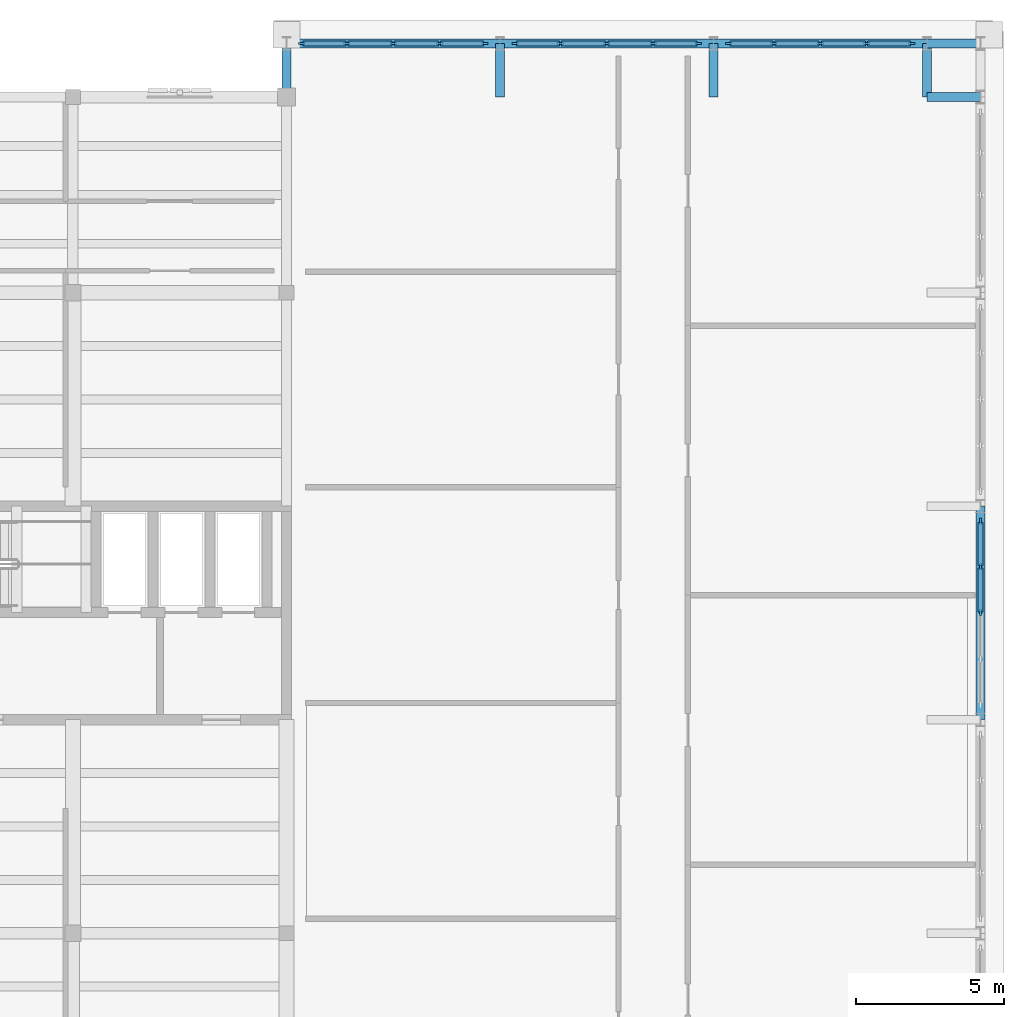
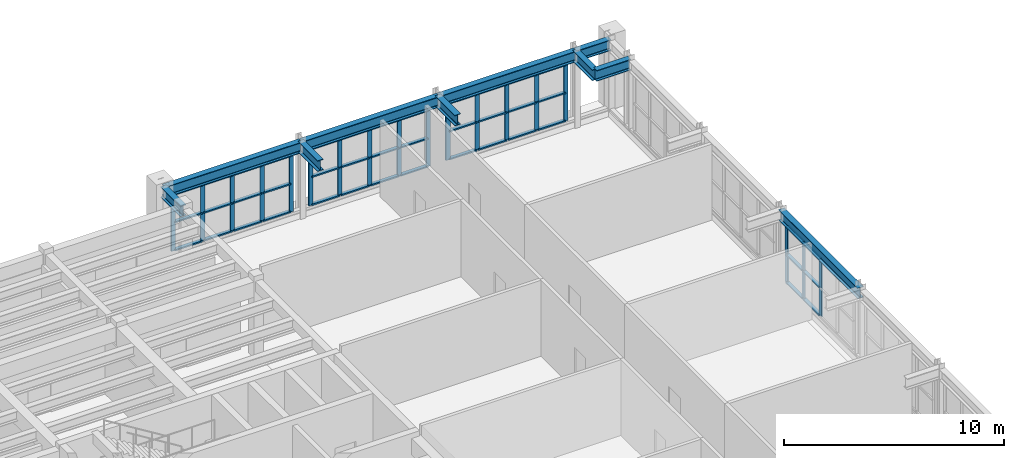
# One storey, part 6 of 18: 60 members, 10 beams, 4 elements without a shape of their own.
"""IFC4 building model written with IfcOpenShell, lengths in metres."""

from ifc_helpers import new_model, si_unit, direction, frame, origin, origin_2d, place, context, subcontext, project, spatial, rectangle, i_section, extrude, material, material_profile, profile_set, type_object, element, aggregate, save


model = new_model("IFC4")

# Units and contexts
model_context = context("Model", 3, precision=1e-05, world=origin(), true_north=direction((0.0, 1.0)))
body_context = subcontext(model_context, "Body", "Model", "MODEL_VIEW")
ifc_project = project(units=[si_unit("LENGTHUNIT", "METRE"), si_unit("AREAUNIT", "SQUARE_METRE"), si_unit("VOLUMEUNIT", "CUBIC_METRE"), si_unit("PLANEANGLEUNIT", "RADIAN"), si_unit("MASSUNIT", "GRAM", prefix="KILO")], contexts=[model_context])

# Site, building, storey
site_placement = place(None, origin())
site = spatial("IfcSite", under=ifc_project, at=site_placement, CompositionType="ELEMENT")
building_placement = place(site_placement, origin())
building = spatial("IfcBuilding", under=site, at=building_placement, Name="Mithqara Police Headquarters", CompositionType="ELEMENT")
storey_placement = place(building_placement, frame((0.0, 0.0, 26.39990234375)))
storey = spatial("IfcBuildingStorey", under=building, at=storey_placement, Name="L06", CompositionType="ELEMENT", Elevation=26.39990234375)

# Curtain wall, members
ifc_material_1 = material(Name="Bronze anodised aluminium 6063-T6", Category="aluminium")
curtain_wall_type = type_object("IfcCurtainWallType", Name="CURTAIN WALL 6250X3170", PredefinedType="USERDEFINED", material=ifc_material_1)
curtain_wall_1_placement = place(storey_placement, origin())
curtain_wall_1 = element("IfcCurtainWall", 1, at=curtain_wall_1_placement, inside=storey, type_object=curtain_wall_type, Name="L06 Unitised Glazing CW-04 (CW-CUBE-L06-P0-E02-S0-02)", ObjectType="UNITISED GLAZING", PredefinedType="USERDEFINED")
ifc_material_profile_1 = material_profile(ifc_material_1, rectangle(XDim=0.074951171875, YDim=0.219970703125, at=origin_2d()), Name="CWM 75x220")
ifc_profile_set_1 = profile_set([ifc_material_profile_1], Name="Bronze anodised aluminium 6063-T6")
member_type_1 = type_object("IfcMemberType", Name="CWMULLION 75X220", PredefinedType="MULLION", material=ifc_profile_set_1)
member_1_placement = place(storey_placement, frame((168.0, 96.60009765625, 0.4501953125), z_axis=(0.0, 0.0, 1.0), x_axis=(-1.0, 0.0, 0.0)))
member_1 = element("IfcMember", 2, at=member_1_placement, type_object=member_type_1, Name="CW-04 mullion 3", PredefinedType="MULLION", context=body_context, shape_type="SweptSolid", body=[
    extrude(rectangle(XDim=0.074951171875, YDim=0.219970703125, at=origin_2d()), origin(), (0.0, 0.0, 1.0), 3.169921875),
])
member_2_placement = place(storey_placement, frame((168.0, 98.16259765625, 0.4501953125), z_axis=(0.0, 0.0, 1.0), x_axis=(-1.0, 0.0, 0.0)))
member_2 = element("IfcMember", 3, at=member_2_placement, type_object=member_type_1, Name="CW-04 mullion 4", PredefinedType="MULLION", context=body_context, shape_type="SweptSolid", body=[
    extrude(rectangle(XDim=0.074951171875, YDim=0.219970703125, at=origin_2d()), origin(), (0.0, 0.0, 1.0), 3.169921875),
])
member_3_placement = place(storey_placement, frame((168.0, 99.6875, 0.4501953125), z_axis=(0.0, 0.0, 1.0), x_axis=(-1.0, 0.0, 0.0)))
member_3 = element("IfcMember", 4, at=member_3_placement, type_object=member_type_1, Name="CW-04 mullion 5", PredefinedType="MULLION", context=body_context, shape_type="SweptSolid", body=[
    extrude(rectangle(XDim=0.074951171875, YDim=0.219970703125, at=origin_2d()), origin(), (0.0, 0.0, 1.0), 3.169921875),
])

curtain_wall_2_placement = place(storey_placement, origin())
curtain_wall_2 = element("IfcCurtainWall", 5, at=curtain_wall_2_placement, inside=storey, type_object=curtain_wall_type, Name="L06 Unitised Glazing CW-04 (CW-CUBE-L06-P0-E03-S0-00)", ObjectType="UNITISED GLAZING", PredefinedType="USERDEFINED")
member_4_placement = place(storey_placement, frame((165.6875, 115.800048828125, 0.4501953125), z_axis=(0.0, 0.0, 1.0), x_axis=(0.0, -1.0, 0.0)))
member_4 = element("IfcMember", 6, at=member_4_placement, type_object=member_type_1, Name="CW-04 mullion 1", PredefinedType="MULLION", context=body_context, shape_type="SweptSolid", body=[
    extrude(rectangle(XDim=0.074951171875, YDim=0.219970703125, at=origin_2d()), origin(), (0.0, 0.0, 1.0), 3.169921875),
])
member_5_placement = place(storey_placement, frame((164.16259765625, 115.800048828125, 0.4501953125), z_axis=(0.0, 0.0, 1.0), x_axis=(0.0, -1.0, 0.0)))
member_5 = element("IfcMember", 7, at=member_5_placement, type_object=member_type_1, Name="CW-04 mullion 2", PredefinedType="MULLION", context=body_context, shape_type="SweptSolid", body=[
    extrude(rectangle(XDim=0.074951171875, YDim=0.219970703125, at=origin_2d()), origin(), (0.0, 0.0, 1.0), 3.169921875),
])
member_6_placement = place(storey_placement, frame((162.60009765625, 115.800048828125, 0.4501953125), z_axis=(0.0, 0.0, 1.0), x_axis=(0.0, -1.0, 0.0)))
member_6 = element("IfcMember", 8, at=member_6_placement, type_object=member_type_1, Name="CW-04 mullion 3", PredefinedType="MULLION", context=body_context, shape_type="SweptSolid", body=[
    extrude(rectangle(XDim=0.074951171875, YDim=0.219970703125, at=origin_2d()), origin(), (0.0, 0.0, 1.0), 3.169921875),
])
member_7_placement = place(storey_placement, frame((161.03759765625, 115.800048828125, 0.4501953125), z_axis=(0.0, 0.0, 1.0), x_axis=(0.0, -1.0, 0.0)))
member_7 = element("IfcMember", 9, at=member_7_placement, type_object=member_type_1, Name="CW-04 mullion 4", PredefinedType="MULLION", context=body_context, shape_type="SweptSolid", body=[
    extrude(rectangle(XDim=0.074951171875, YDim=0.219970703125, at=origin_2d()), origin(), (0.0, 0.0, 1.0), 3.169921875),
])
member_8_placement = place(storey_placement, frame((159.512451171875, 115.800048828125, 0.4501953125), z_axis=(0.0, 0.0, 1.0), x_axis=(0.0, -1.0, 0.0)))
member_8 = element("IfcMember", 10, at=member_8_placement, type_object=member_type_1, Name="CW-04 mullion 5", PredefinedType="MULLION", context=body_context, shape_type="SweptSolid", body=[
    extrude(rectangle(XDim=0.074951171875, YDim=0.219970703125, at=origin_2d()), origin(), (0.0, 0.0, 1.0), 3.169921875),
])

curtain_wall_3_placement = place(storey_placement, origin())
curtain_wall_3 = element("IfcCurtainWall", 11, at=curtain_wall_3_placement, inside=storey, type_object=curtain_wall_type, Name="L06 Unitised Glazing CW-04 (CW-CUBE-L06-P0-E03-S0-01)", ObjectType="UNITISED GLAZING", PredefinedType="USERDEFINED")
member_9_placement = place(storey_placement, frame((158.487548828125, 115.800048828125, 0.4501953125), z_axis=(0.0, 0.0, 1.0), x_axis=(0.0, -1.0, 0.0)))
member_9 = element("IfcMember", 12, at=member_9_placement, type_object=member_type_1, Name="CW-04 mullion 1", PredefinedType="MULLION", context=body_context, shape_type="SweptSolid", body=[
    extrude(rectangle(XDim=0.074951171875, YDim=0.219970703125, at=origin_2d()), origin(), (0.0, 0.0, 1.0), 3.169921875),
])
member_10_placement = place(storey_placement, frame((156.96240234375, 115.800048828125, 0.4501953125), z_axis=(0.0, 0.0, 1.0), x_axis=(0.0, -1.0, 0.0)))
member_10 = element("IfcMember", 13, at=member_10_placement, type_object=member_type_1, Name="CW-04 mullion 2", PredefinedType="MULLION", context=body_context, shape_type="SweptSolid", body=[
    extrude(rectangle(XDim=0.074951171875, YDim=0.219970703125, at=origin_2d()), origin(), (0.0, 0.0, 1.0), 3.169921875),
])
member_11_placement = place(storey_placement, frame((155.39990234375, 115.800048828125, 0.4501953125), z_axis=(0.0, 0.0, 1.0), x_axis=(0.0, -1.0, 0.0)))
member_11 = element("IfcMember", 14, at=member_11_placement, type_object=member_type_1, Name="CW-04 mullion 3", PredefinedType="MULLION", context=body_context, shape_type="SweptSolid", body=[
    extrude(rectangle(XDim=0.074951171875, YDim=0.219970703125, at=origin_2d()), origin(), (0.0, 0.0, 1.0), 3.169921875),
])
member_12_placement = place(storey_placement, frame((153.83740234375, 115.800048828125, 0.4501953125), z_axis=(0.0, 0.0, 1.0), x_axis=(0.0, -1.0, 0.0)))
member_12 = element("IfcMember", 15, at=member_12_placement, type_object=member_type_1, Name="CW-04 mullion 4", PredefinedType="MULLION", context=body_context, shape_type="SweptSolid", body=[
    extrude(rectangle(XDim=0.074951171875, YDim=0.219970703125, at=origin_2d()), origin(), (0.0, 0.0, 1.0), 3.169921875),
])
member_13_placement = place(storey_placement, frame((152.3125, 115.800048828125, 0.4501953125), z_axis=(0.0, 0.0, 1.0), x_axis=(0.0, -1.0, 0.0)))
member_13 = element("IfcMember", 16, at=member_13_placement, type_object=member_type_1, Name="CW-04 mullion 5", PredefinedType="MULLION", context=body_context, shape_type="SweptSolid", body=[
    extrude(rectangle(XDim=0.074951171875, YDim=0.219970703125, at=origin_2d()), origin(), (0.0, 0.0, 1.0), 3.169921875),
])

curtain_wall_4_placement = place(storey_placement, origin())
curtain_wall_4 = element("IfcCurtainWall", 17, at=curtain_wall_4_placement, inside=storey, type_object=curtain_wall_type, Name="L06 Unitised Glazing CW-04 (CW-CUBE-L06-P0-E03-S0-02)", ObjectType="UNITISED GLAZING", PredefinedType="USERDEFINED")
member_14_placement = place(storey_placement, frame((151.28759765625, 115.800048828125, 0.4501953125), z_axis=(0.0, 0.0, 1.0), x_axis=(0.0, -1.0, 0.0)))
member_14 = element("IfcMember", 18, at=member_14_placement, type_object=member_type_1, Name="CW-04 mullion 1", PredefinedType="MULLION", context=body_context, shape_type="SweptSolid", body=[
    extrude(rectangle(XDim=0.074951171875, YDim=0.219970703125, at=origin_2d()), origin(), (0.0, 0.0, 1.0), 3.169921875),
])
member_15_placement = place(storey_placement, frame((149.762451171875, 115.800048828125, 0.4501953125), z_axis=(0.0, 0.0, 1.0), x_axis=(0.0, -1.0, 0.0)))
member_15 = element("IfcMember", 19, at=member_15_placement, type_object=member_type_1, Name="CW-04 mullion 2", PredefinedType="MULLION", context=body_context, shape_type="SweptSolid", body=[
    extrude(rectangle(XDim=0.074951171875, YDim=0.219970703125, at=origin_2d()), origin(), (0.0, 0.0, 1.0), 3.169921875),
])
member_16_placement = place(storey_placement, frame((148.199951171875, 115.800048828125, 0.4501953125), z_axis=(0.0, 0.0, 1.0), x_axis=(0.0, -1.0, 0.0)))
member_16 = element("IfcMember", 20, at=member_16_placement, type_object=member_type_1, Name="CW-04 mullion 3", PredefinedType="MULLION", context=body_context, shape_type="SweptSolid", body=[
    extrude(rectangle(XDim=0.074951171875, YDim=0.219970703125, at=origin_2d()), origin(), (0.0, 0.0, 1.0), 3.169921875),
])
member_17_placement = place(storey_placement, frame((146.637451171875, 115.800048828125, 0.4501953125), z_axis=(0.0, 0.0, 1.0), x_axis=(0.0, -1.0, 0.0)))
member_17 = element("IfcMember", 21, at=member_17_placement, type_object=member_type_1, Name="CW-04 mullion 4", PredefinedType="MULLION", context=body_context, shape_type="SweptSolid", body=[
    extrude(rectangle(XDim=0.074951171875, YDim=0.219970703125, at=origin_2d()), origin(), (0.0, 0.0, 1.0), 3.169921875),
])
member_18_placement = place(storey_placement, frame((145.112548828125, 115.800048828125, 0.4501953125), z_axis=(0.0, 0.0, 1.0), x_axis=(0.0, -1.0, 0.0)))
member_18 = element("IfcMember", 22, at=member_18_placement, type_object=member_type_1, Name="CW-04 mullion 5", PredefinedType="MULLION", context=body_context, shape_type="SweptSolid", body=[
    extrude(rectangle(XDim=0.074951171875, YDim=0.219970703125, at=origin_2d()), origin(), (0.0, 0.0, 1.0), 3.169921875),
])

# Member
ifc_material_profile_2 = material_profile(ifc_material_1, rectangle(XDim=0.179931640625, YDim=0.074951171875, at=origin_2d()), Name="CWT 180x75")
ifc_profile_set_2 = profile_set([ifc_material_profile_2], Name="Bronze anodised aluminium 6063-T6")
member_type_2 = type_object("IfcMemberType", Name="CWTRANSOM 180X75", PredefinedType="USERDEFINED", material=ifc_profile_set_2)
member_19_placement = place(storey_placement, frame((168.0, 96.637451171875, 0.487548828125), z_axis=(0.0, 1.0, 0.0), x_axis=(-1.0, 0.0, 0.0)))
member_19 = element("IfcMember", 23, at=member_19_placement, type_object=member_type_2, Name="CW-04 transom 3.1", ObjectType="TRANSOM", PredefinedType="USERDEFINED", context=body_context, shape_type="SweptSolid", body=[
    extrude(rectangle(XDim=0.179931640625, YDim=0.074951171875, at=origin_2d()), origin(), (0.0, 0.0, 1.0), 1.487548828125),
])

member_20_placement = place(storey_placement, frame((168.0, 96.637451171875, 2.03515625), z_axis=(0.0, 1.0, 0.0), x_axis=(-1.0, 0.0, 0.0)))
member_20 = element("IfcMember", 24, at=member_20_placement, type_object=member_type_2, Name="CW-04 transom 3.2", ObjectType="TRANSOM", PredefinedType="USERDEFINED", context=body_context, shape_type="SweptSolid", body=[
    extrude(rectangle(XDim=0.179931640625, YDim=0.074951171875, at=origin_2d()), origin(), (0.0, 0.0, 1.0), 1.487548828125),
])

member_21_placement = place(storey_placement, frame((168.0, 96.637451171875, 3.58251953125), z_axis=(0.0, 1.0, 0.0), x_axis=(-1.0, 0.0, 0.0)))
member_21 = element("IfcMember", 25, at=member_21_placement, type_object=member_type_2, Name="CW-04 transom 3.3", ObjectType="TRANSOM", PredefinedType="USERDEFINED", context=body_context, shape_type="SweptSolid", body=[
    extrude(rectangle(XDim=0.179931640625, YDim=0.074951171875, at=origin_2d()), origin(), (0.0, 0.0, 1.0), 1.487548828125),
])

member_22_placement = place(storey_placement, frame((168.0, 98.199951171875, 0.487548828125), z_axis=(0.0, 1.0, 0.0), x_axis=(-1.0, 0.0, 0.0)))
member_22 = element("IfcMember", 26, at=member_22_placement, type_object=member_type_2, Name="CW-04 transom 4.1", ObjectType="TRANSOM", PredefinedType="USERDEFINED", context=body_context, shape_type="SweptSolid", body=[
    extrude(rectangle(XDim=0.179931640625, YDim=0.074951171875, at=origin_2d()), origin(), (0.0, 0.0, 1.0), 1.449951171875),
])

member_23_placement = place(storey_placement, frame((168.0, 98.199951171875, 2.03515625), z_axis=(0.0, 1.0, 0.0), x_axis=(-1.0, 0.0, 0.0)))
member_23 = element("IfcMember", 27, at=member_23_placement, type_object=member_type_2, Name="CW-04 transom 4.2", ObjectType="TRANSOM", PredefinedType="USERDEFINED", context=body_context, shape_type="SweptSolid", body=[
    extrude(rectangle(XDim=0.179931640625, YDim=0.074951171875, at=origin_2d()), origin(), (0.0, 0.0, 1.0), 1.449951171875),
])

member_24_placement = place(storey_placement, frame((168.0, 98.199951171875, 3.58251953125), z_axis=(0.0, 1.0, 0.0), x_axis=(-1.0, 0.0, 0.0)))
member_24 = element("IfcMember", 28, at=member_24_placement, type_object=member_type_2, Name="CW-04 transom 4.3", ObjectType="TRANSOM", PredefinedType="USERDEFINED", context=body_context, shape_type="SweptSolid", body=[
    extrude(rectangle(XDim=0.179931640625, YDim=0.074951171875, at=origin_2d()), origin(), (0.0, 0.0, 1.0), 1.449951171875),
])

aggregate(curtain_wall_1, [member_1, member_2, member_3, member_19, member_20, member_21, member_22, member_23, member_24])

member_25_placement = place(storey_placement, frame((165.64990234375, 115.800048828125, 0.487548828125), z_axis=(-1.0, 0.0, 0.0), x_axis=(0.0, -1.0, 0.0)))
member_25 = element("IfcMember", 29, at=member_25_placement, type_object=member_type_2, Name="CW-04 transom 1.1", ObjectType="TRANSOM", PredefinedType="USERDEFINED", context=body_context, shape_type="SweptSolid", body=[
    extrude(rectangle(XDim=0.179931640625, YDim=0.074951171875, at=origin_2d()), origin(), (0.0, 0.0, 1.0), 1.449951171875),
])

member_26_placement = place(storey_placement, frame((165.64990234375, 115.800048828125, 2.03515625), z_axis=(-1.0, 0.0, 0.0), x_axis=(0.0, -1.0, 0.0)))
member_26 = element("IfcMember", 30, at=member_26_placement, type_object=member_type_2, Name="CW-04 transom 1.2", ObjectType="TRANSOM", PredefinedType="USERDEFINED", context=body_context, shape_type="SweptSolid", body=[
    extrude(rectangle(XDim=0.179931640625, YDim=0.074951171875, at=origin_2d()), origin(), (0.0, 0.0, 1.0), 1.449951171875),
])

member_27_placement = place(storey_placement, frame((165.64990234375, 115.800048828125, 3.58251953125), z_axis=(-1.0, 0.0, 0.0), x_axis=(0.0, -1.0, 0.0)))
member_27 = element("IfcMember", 31, at=member_27_placement, type_object=member_type_2, Name="CW-04 transom 1.3", ObjectType="TRANSOM", PredefinedType="USERDEFINED", context=body_context, shape_type="SweptSolid", body=[
    extrude(rectangle(XDim=0.179931640625, YDim=0.074951171875, at=origin_2d()), origin(), (0.0, 0.0, 1.0), 1.449951171875),
])

member_28_placement = place(storey_placement, frame((164.125, 115.800048828125, 0.487548828125), z_axis=(-1.0, 0.0, 0.0), x_axis=(0.0, -1.0, 0.0)))
member_28 = element("IfcMember", 32, at=member_28_placement, type_object=member_type_2, Name="CW-04 transom 2.1", ObjectType="TRANSOM", PredefinedType="USERDEFINED", context=body_context, shape_type="SweptSolid", body=[
    extrude(rectangle(XDim=0.179931640625, YDim=0.074951171875, at=origin_2d()), origin(), (0.0, 0.0, 1.0), 1.487548828125),
])

member_29_placement = place(storey_placement, frame((164.125, 115.800048828125, 2.03515625), z_axis=(-1.0, 0.0, 0.0), x_axis=(0.0, -1.0, 0.0)))
member_29 = element("IfcMember", 33, at=member_29_placement, type_object=member_type_2, Name="CW-04 transom 2.2", ObjectType="TRANSOM", PredefinedType="USERDEFINED", context=body_context, shape_type="SweptSolid", body=[
    extrude(rectangle(XDim=0.179931640625, YDim=0.074951171875, at=origin_2d()), origin(), (0.0, 0.0, 1.0), 1.487548828125),
])

member_30_placement = place(storey_placement, frame((164.125, 115.800048828125, 3.58251953125), z_axis=(-1.0, 0.0, 0.0), x_axis=(0.0, -1.0, 0.0)))
member_30 = element("IfcMember", 34, at=member_30_placement, type_object=member_type_2, Name="CW-04 transom 2.3", ObjectType="TRANSOM", PredefinedType="USERDEFINED", context=body_context, shape_type="SweptSolid", body=[
    extrude(rectangle(XDim=0.179931640625, YDim=0.074951171875, at=origin_2d()), origin(), (0.0, 0.0, 1.0), 1.487548828125),
])

member_31_placement = place(storey_placement, frame((162.5625, 115.800048828125, 0.487548828125), z_axis=(-1.0, 0.0, 0.0), x_axis=(0.0, -1.0, 0.0)))
member_31 = element("IfcMember", 35, at=member_31_placement, type_object=member_type_2, Name="CW-04 transom 3.1", ObjectType="TRANSOM", PredefinedType="USERDEFINED", context=body_context, shape_type="SweptSolid", body=[
    extrude(rectangle(XDim=0.179931640625, YDim=0.074951171875, at=origin_2d()), origin(), (0.0, 0.0, 1.0), 1.487548828125),
])

member_32_placement = place(storey_placement, frame((162.5625, 115.800048828125, 2.03515625), z_axis=(-1.0, 0.0, 0.0), x_axis=(0.0, -1.0, 0.0)))
member_32 = element("IfcMember", 36, at=member_32_placement, type_object=member_type_2, Name="CW-04 transom 3.2", ObjectType="TRANSOM", PredefinedType="USERDEFINED", context=body_context, shape_type="SweptSolid", body=[
    extrude(rectangle(XDim=0.179931640625, YDim=0.074951171875, at=origin_2d()), origin(), (0.0, 0.0, 1.0), 1.487548828125),
])

member_33_placement = place(storey_placement, frame((162.5625, 115.800048828125, 3.58251953125), z_axis=(-1.0, 0.0, 0.0), x_axis=(0.0, -1.0, 0.0)))
member_33 = element("IfcMember", 37, at=member_33_placement, type_object=member_type_2, Name="CW-04 transom 3.3", ObjectType="TRANSOM", PredefinedType="USERDEFINED", context=body_context, shape_type="SweptSolid", body=[
    extrude(rectangle(XDim=0.179931640625, YDim=0.074951171875, at=origin_2d()), origin(), (0.0, 0.0, 1.0), 1.487548828125),
])

member_34_placement = place(storey_placement, frame((161.0, 115.800048828125, 0.487548828125), z_axis=(-1.0, 0.0, 0.0), x_axis=(0.0, -1.0, 0.0)))
member_34 = element("IfcMember", 38, at=member_34_placement, type_object=member_type_2, Name="CW-04 transom 4.1", ObjectType="TRANSOM", PredefinedType="USERDEFINED", context=body_context, shape_type="SweptSolid", body=[
    extrude(rectangle(XDim=0.179931640625, YDim=0.074951171875, at=origin_2d()), origin(), (0.0, 0.0, 1.0), 1.449951171875),
])

member_35_placement = place(storey_placement, frame((161.0, 115.800048828125, 2.03515625), z_axis=(-1.0, 0.0, 0.0), x_axis=(0.0, -1.0, 0.0)))
member_35 = element("IfcMember", 39, at=member_35_placement, type_object=member_type_2, Name="CW-04 transom 4.2", ObjectType="TRANSOM", PredefinedType="USERDEFINED", context=body_context, shape_type="SweptSolid", body=[
    extrude(rectangle(XDim=0.179931640625, YDim=0.074951171875, at=origin_2d()), origin(), (0.0, 0.0, 1.0), 1.449951171875),
])

member_36_placement = place(storey_placement, frame((161.0, 115.800048828125, 3.58251953125), z_axis=(-1.0, 0.0, 0.0), x_axis=(0.0, -1.0, 0.0)))
member_36 = element("IfcMember", 40, at=member_36_placement, type_object=member_type_2, Name="CW-04 transom 4.3", ObjectType="TRANSOM", PredefinedType="USERDEFINED", context=body_context, shape_type="SweptSolid", body=[
    extrude(rectangle(XDim=0.179931640625, YDim=0.074951171875, at=origin_2d()), origin(), (0.0, 0.0, 1.0), 1.449951171875),
])

aggregate(curtain_wall_2, [member_4, member_5, member_6, member_7, member_8, member_25, member_26, member_27, member_28, member_29, member_30, member_31, member_32, member_33, member_34, member_35, member_36])

member_37_placement = place(storey_placement, frame((158.449951171875, 115.800048828125, 0.487548828125), z_axis=(-1.0, 0.0, 0.0), x_axis=(0.0, -1.0, 0.0)))
member_37 = element("IfcMember", 41, at=member_37_placement, type_object=member_type_2, Name="CW-04 transom 1.1", ObjectType="TRANSOM", PredefinedType="USERDEFINED", context=body_context, shape_type="SweptSolid", body=[
    extrude(rectangle(XDim=0.179931640625, YDim=0.074951171875, at=origin_2d()), origin(), (0.0, 0.0, 1.0), 1.449951171875),
])

member_38_placement = place(storey_placement, frame((158.449951171875, 115.800048828125, 2.03515625), z_axis=(-1.0, 0.0, 0.0), x_axis=(0.0, -1.0, 0.0)))
member_38 = element("IfcMember", 42, at=member_38_placement, type_object=member_type_2, Name="CW-04 transom 1.2", ObjectType="TRANSOM", PredefinedType="USERDEFINED", context=body_context, shape_type="SweptSolid", body=[
    extrude(rectangle(XDim=0.179931640625, YDim=0.074951171875, at=origin_2d()), origin(), (0.0, 0.0, 1.0), 1.449951171875),
])

member_39_placement = place(storey_placement, frame((158.449951171875, 115.800048828125, 3.58251953125), z_axis=(-1.0, 0.0, 0.0), x_axis=(0.0, -1.0, 0.0)))
member_39 = element("IfcMember", 43, at=member_39_placement, type_object=member_type_2, Name="CW-04 transom 1.3", ObjectType="TRANSOM", PredefinedType="USERDEFINED", context=body_context, shape_type="SweptSolid", body=[
    extrude(rectangle(XDim=0.179931640625, YDim=0.074951171875, at=origin_2d()), origin(), (0.0, 0.0, 1.0), 1.449951171875),
])

member_40_placement = place(storey_placement, frame((156.925048828125, 115.800048828125, 0.487548828125), z_axis=(-1.0, 0.0, 0.0), x_axis=(0.0, -1.0, 0.0)))
member_40 = element("IfcMember", 44, at=member_40_placement, type_object=member_type_2, Name="CW-04 transom 2.1", ObjectType="TRANSOM", PredefinedType="USERDEFINED", context=body_context, shape_type="SweptSolid", body=[
    extrude(rectangle(XDim=0.179931640625, YDim=0.074951171875, at=origin_2d()), origin(), (0.0, 0.0, 1.0), 1.487548828125),
])

member_41_placement = place(storey_placement, frame((156.925048828125, 115.800048828125, 2.03515625), z_axis=(-1.0, 0.0, 0.0), x_axis=(0.0, -1.0, 0.0)))
member_41 = element("IfcMember", 45, at=member_41_placement, type_object=member_type_2, Name="CW-04 transom 2.2", ObjectType="TRANSOM", PredefinedType="USERDEFINED", context=body_context, shape_type="SweptSolid", body=[
    extrude(rectangle(XDim=0.179931640625, YDim=0.074951171875, at=origin_2d()), origin(), (0.0, 0.0, 1.0), 1.487548828125),
])

member_42_placement = place(storey_placement, frame((156.925048828125, 115.800048828125, 3.58251953125), z_axis=(-1.0, 0.0, 0.0), x_axis=(0.0, -1.0, 0.0)))
member_42 = element("IfcMember", 46, at=member_42_placement, type_object=member_type_2, Name="CW-04 transom 2.3", ObjectType="TRANSOM", PredefinedType="USERDEFINED", context=body_context, shape_type="SweptSolid", body=[
    extrude(rectangle(XDim=0.179931640625, YDim=0.074951171875, at=origin_2d()), origin(), (0.0, 0.0, 1.0), 1.487548828125),
])

member_43_placement = place(storey_placement, frame((155.362548828125, 115.800048828125, 0.487548828125), z_axis=(-1.0, 0.0, 0.0), x_axis=(0.0, -1.0, 0.0)))
member_43 = element("IfcMember", 47, at=member_43_placement, type_object=member_type_2, Name="CW-04 transom 3.1", ObjectType="TRANSOM", PredefinedType="USERDEFINED", context=body_context, shape_type="SweptSolid", body=[
    extrude(rectangle(XDim=0.179931640625, YDim=0.074951171875, at=origin_2d()), origin(), (0.0, 0.0, 1.0), 1.487548828125),
])

member_44_placement = place(storey_placement, frame((155.362548828125, 115.800048828125, 2.03515625), z_axis=(-1.0, 0.0, 0.0), x_axis=(0.0, -1.0, 0.0)))
member_44 = element("IfcMember", 48, at=member_44_placement, type_object=member_type_2, Name="CW-04 transom 3.2", ObjectType="TRANSOM", PredefinedType="USERDEFINED", context=body_context, shape_type="SweptSolid", body=[
    extrude(rectangle(XDim=0.179931640625, YDim=0.074951171875, at=origin_2d()), origin(), (0.0, 0.0, 1.0), 1.487548828125),
])

member_45_placement = place(storey_placement, frame((155.362548828125, 115.800048828125, 3.58251953125), z_axis=(-1.0, 0.0, 0.0), x_axis=(0.0, -1.0, 0.0)))
member_45 = element("IfcMember", 49, at=member_45_placement, type_object=member_type_2, Name="CW-04 transom 3.3", ObjectType="TRANSOM", PredefinedType="USERDEFINED", context=body_context, shape_type="SweptSolid", body=[
    extrude(rectangle(XDim=0.179931640625, YDim=0.074951171875, at=origin_2d()), origin(), (0.0, 0.0, 1.0), 1.487548828125),
])

member_46_placement = place(storey_placement, frame((153.800048828125, 115.800048828125, 0.487548828125), z_axis=(-1.0, 0.0, 0.0), x_axis=(0.0, -1.0, 0.0)))
member_46 = element("IfcMember", 50, at=member_46_placement, type_object=member_type_2, Name="CW-04 transom 4.1", ObjectType="TRANSOM", PredefinedType="USERDEFINED", context=body_context, shape_type="SweptSolid", body=[
    extrude(rectangle(XDim=0.179931640625, YDim=0.074951171875, at=origin_2d()), origin(), (0.0, 0.0, 1.0), 1.449951171875),
])

member_47_placement = place(storey_placement, frame((153.800048828125, 115.800048828125, 2.03515625), z_axis=(-1.0, 0.0, 0.0), x_axis=(0.0, -1.0, 0.0)))
member_47 = element("IfcMember", 51, at=member_47_placement, type_object=member_type_2, Name="CW-04 transom 4.2", ObjectType="TRANSOM", PredefinedType="USERDEFINED", context=body_context, shape_type="SweptSolid", body=[
    extrude(rectangle(XDim=0.179931640625, YDim=0.074951171875, at=origin_2d()), origin(), (0.0, 0.0, 1.0), 1.449951171875),
])

member_48_placement = place(storey_placement, frame((153.800048828125, 115.800048828125, 3.58251953125), z_axis=(-1.0, 0.0, 0.0), x_axis=(0.0, -1.0, 0.0)))
member_48 = element("IfcMember", 52, at=member_48_placement, type_object=member_type_2, Name="CW-04 transom 4.3", ObjectType="TRANSOM", PredefinedType="USERDEFINED", context=body_context, shape_type="SweptSolid", body=[
    extrude(rectangle(XDim=0.179931640625, YDim=0.074951171875, at=origin_2d()), origin(), (0.0, 0.0, 1.0), 1.449951171875),
])

aggregate(curtain_wall_3, [member_9, member_10, member_11, member_12, member_13, member_37, member_38, member_39, member_40, member_41, member_42, member_43, member_44, member_45, member_46, member_47, member_48])

member_49_placement = place(storey_placement, frame((151.25, 115.800048828125, 0.487548828125), z_axis=(-1.0, 0.0, 0.0), x_axis=(0.0, -1.0, 0.0)))
member_49 = element("IfcMember", 53, at=member_49_placement, type_object=member_type_2, Name="CW-04 transom 1.1", ObjectType="TRANSOM", PredefinedType="USERDEFINED", context=body_context, shape_type="SweptSolid", body=[
    extrude(rectangle(XDim=0.179931640625, YDim=0.074951171875, at=origin_2d()), origin(), (0.0, 0.0, 1.0), 1.449951171875),
])

member_50_placement = place(storey_placement, frame((151.25, 115.800048828125, 2.03515625), z_axis=(-1.0, 0.0, 0.0), x_axis=(0.0, -1.0, 0.0)))
member_50 = element("IfcMember", 54, at=member_50_placement, type_object=member_type_2, Name="CW-04 transom 1.2", ObjectType="TRANSOM", PredefinedType="USERDEFINED", context=body_context, shape_type="SweptSolid", body=[
    extrude(rectangle(XDim=0.179931640625, YDim=0.074951171875, at=origin_2d()), origin(), (0.0, 0.0, 1.0), 1.449951171875),
])

member_51_placement = place(storey_placement, frame((151.25, 115.800048828125, 3.58251953125), z_axis=(-1.0, 0.0, 0.0), x_axis=(0.0, -1.0, 0.0)))
member_51 = element("IfcMember", 55, at=member_51_placement, type_object=member_type_2, Name="CW-04 transom 1.3", ObjectType="TRANSOM", PredefinedType="USERDEFINED", context=body_context, shape_type="SweptSolid", body=[
    extrude(rectangle(XDim=0.179931640625, YDim=0.074951171875, at=origin_2d()), origin(), (0.0, 0.0, 1.0), 1.449951171875),
])

member_52_placement = place(storey_placement, frame((149.72509765625, 115.800048828125, 0.487548828125), z_axis=(-1.0, 0.0, 0.0), x_axis=(0.0, -1.0, 0.0)))
member_52 = element("IfcMember", 56, at=member_52_placement, type_object=member_type_2, Name="CW-04 transom 2.1", ObjectType="TRANSOM", PredefinedType="USERDEFINED", context=body_context, shape_type="SweptSolid", body=[
    extrude(rectangle(XDim=0.179931640625, YDim=0.074951171875, at=origin_2d()), origin(), (0.0, 0.0, 1.0), 1.487548828125),
])

member_53_placement = place(storey_placement, frame((149.72509765625, 115.800048828125, 2.03515625), z_axis=(-1.0, 0.0, 0.0), x_axis=(0.0, -1.0, 0.0)))
member_53 = element("IfcMember", 57, at=member_53_placement, type_object=member_type_2, Name="CW-04 transom 2.2", ObjectType="TRANSOM", PredefinedType="USERDEFINED", context=body_context, shape_type="SweptSolid", body=[
    extrude(rectangle(XDim=0.179931640625, YDim=0.074951171875, at=origin_2d()), origin(), (0.0, 0.0, 1.0), 1.487548828125),
])

member_54_placement = place(storey_placement, frame((149.72509765625, 115.800048828125, 3.58251953125), z_axis=(-1.0, 0.0, 0.0), x_axis=(0.0, -1.0, 0.0)))
member_54 = element("IfcMember", 58, at=member_54_placement, type_object=member_type_2, Name="CW-04 transom 2.3", ObjectType="TRANSOM", PredefinedType="USERDEFINED", context=body_context, shape_type="SweptSolid", body=[
    extrude(rectangle(XDim=0.179931640625, YDim=0.074951171875, at=origin_2d()), origin(), (0.0, 0.0, 1.0), 1.487548828125),
])

member_55_placement = place(storey_placement, frame((148.16259765625, 115.800048828125, 0.487548828125), z_axis=(-1.0, 0.0, 0.0), x_axis=(0.0, -1.0, 0.0)))
member_55 = element("IfcMember", 59, at=member_55_placement, type_object=member_type_2, Name="CW-04 transom 3.1", ObjectType="TRANSOM", PredefinedType="USERDEFINED", context=body_context, shape_type="SweptSolid", body=[
    extrude(rectangle(XDim=0.179931640625, YDim=0.074951171875, at=origin_2d()), origin(), (0.0, 0.0, 1.0), 1.487548828125),
])

member_56_placement = place(storey_placement, frame((148.16259765625, 115.800048828125, 2.03515625), z_axis=(-1.0, 0.0, 0.0), x_axis=(0.0, -1.0, 0.0)))
member_56 = element("IfcMember", 60, at=member_56_placement, type_object=member_type_2, Name="CW-04 transom 3.2", ObjectType="TRANSOM", PredefinedType="USERDEFINED", context=body_context, shape_type="SweptSolid", body=[
    extrude(rectangle(XDim=0.179931640625, YDim=0.074951171875, at=origin_2d()), origin(), (0.0, 0.0, 1.0), 1.487548828125),
])

member_57_placement = place(storey_placement, frame((148.16259765625, 115.800048828125, 3.58251953125), z_axis=(-1.0, 0.0, 0.0), x_axis=(0.0, -1.0, 0.0)))
member_57 = element("IfcMember", 61, at=member_57_placement, type_object=member_type_2, Name="CW-04 transom 3.3", ObjectType="TRANSOM", PredefinedType="USERDEFINED", context=body_context, shape_type="SweptSolid", body=[
    extrude(rectangle(XDim=0.179931640625, YDim=0.074951171875, at=origin_2d()), origin(), (0.0, 0.0, 1.0), 1.487548828125),
])

member_58_placement = place(storey_placement, frame((146.60009765625, 115.800048828125, 0.487548828125), z_axis=(-1.0, 0.0, 0.0), x_axis=(0.0, -1.0, 0.0)))
member_58 = element("IfcMember", 62, at=member_58_placement, type_object=member_type_2, Name="CW-04 transom 4.1", ObjectType="TRANSOM", PredefinedType="USERDEFINED", context=body_context, shape_type="SweptSolid", body=[
    extrude(rectangle(XDim=0.179931640625, YDim=0.074951171875, at=origin_2d()), origin(), (0.0, 0.0, 1.0), 1.4501953125),
])

member_59_placement = place(storey_placement, frame((146.60009765625, 115.800048828125, 2.03515625), z_axis=(-1.0, 0.0, 0.0), x_axis=(0.0, -1.0, 0.0)))
member_59 = element("IfcMember", 63, at=member_59_placement, type_object=member_type_2, Name="CW-04 transom 4.2", ObjectType="TRANSOM", PredefinedType="USERDEFINED", context=body_context, shape_type="SweptSolid", body=[
    extrude(rectangle(XDim=0.179931640625, YDim=0.074951171875, at=origin_2d()), origin(), (0.0, 0.0, 1.0), 1.4501953125),
])

member_60_placement = place(storey_placement, frame((146.60009765625, 115.800048828125, 3.58251953125), z_axis=(-1.0, 0.0, 0.0), x_axis=(0.0, -1.0, 0.0)))
member_60 = element("IfcMember", 64, at=member_60_placement, type_object=member_type_2, Name="CW-04 transom 4.3", ObjectType="TRANSOM", PredefinedType="USERDEFINED", context=body_context, shape_type="SweptSolid", body=[
    extrude(rectangle(XDim=0.179931640625, YDim=0.074951171875, at=origin_2d()), origin(), (0.0, 0.0, 1.0), 1.4501953125),
])

aggregate(curtain_wall_4, [member_14, member_15, member_16, member_17, member_18, member_49, member_50, member_51, member_52, member_53, member_54, member_55, member_56, member_57, member_58, member_59, member_60])

# Beams
ifc_material_2 = material(Name="Steel S355JR", Category="steel")
ifc_material_profile_3 = material_profile(ifc_material_2, i_section(OverallWidth=0.300048828125, OverallDepth=0.60009765625, WebThickness=0.015380859375, FlangeThickness=0.030029296875, FilletRadius=0.027099609375, at=origin_2d()), Name="HEB 600")
ifc_profile_set_3 = profile_set([ifc_material_profile_3], Name="Steel S355JR")
beam_type = type_object("IfcBeamType", Name="TRANSFER HEB600", PredefinedType="BEAM", material=ifc_profile_set_3)
for number, where, z_axis, x_axis, name in (
    (65, (166.199951171875, 114.0, 3.920166015625), (1.0, 0.0, 0.0), (0.0, 1.0, 0.0), "L06 Command Cube Cantilever Transfer Girder Y-S"),
    (66, (144.60009765625, 114.0, 3.920166015625), (0.0, 1.0, 0.0), (-1.0, 0.0, 0.0), "L06 Command Cube Cantilever Transfer Girder X-21"),
    (67, (151.800048828125, 114.0, 3.920166015625), (0.0, 1.0, 0.0), (-1.0, 0.0, 0.0), "L06 Command Cube Cantilever Transfer Girder X-22"),
    (68, (159.0, 114.0, 3.920166015625), (0.0, 1.0, 0.0), (-1.0, 0.0, 0.0), "L06 Command Cube Cantilever Transfer Girder X-23"),
    (69, (166.199951171875, 114.0, 3.920166015625), (0.0, 1.0, 0.0), (-1.0, 0.0, 0.0), "L06 Command Cube Cantilever Transfer Girder X-24"),
):
    element("IfcBeam", number, at=place(storey_placement, frame(where, z_axis=z_axis, x_axis=x_axis)), inside=storey, type_object=beam_type, Name=name, PredefinedType="BEAM", context=body_context, shape_type="SweptSolid", body=[
        extrude(i_section(OverallWidth=0.300048828125, OverallDepth=0.60009765625, WebThickness=0.015380859375, FlangeThickness=0.030029296875, FilletRadius=0.027099609375, at=origin_2d()), origin(), (0.0, 0.0, 1.0), 1.800048828125),
    ])
for number, where, z_axis, x_axis, name in (
    (70, (168.0, 93.0, 3.920166015625), (0.0, 1.0, 0.0), (-1.0, 0.0, 0.0), "L06 Command Cube East Ring Beam 3"),
    (71, (144.60009765625, 115.800048828125, 3.920166015625), (1.0, 0.0, 0.0), (0.0, 1.0, 0.0), "L06 Command Cube North Ring Beam 1"),
    (72, (151.800048828125, 115.800048828125, 3.920166015625), (1.0, 0.0, 0.0), (0.0, 1.0, 0.0), "L06 Command Cube North Ring Beam 2"),
    (73, (159.0, 115.800048828125, 3.920166015625), (1.0, 0.0, 0.0), (0.0, 1.0, 0.0), "L06 Command Cube North Ring Beam 3"),
):
    element("IfcBeam", number, at=place(storey_placement, frame(where, z_axis=z_axis, x_axis=x_axis)), inside=storey, type_object=beam_type, Name=name, PredefinedType="BEAM", context=body_context, shape_type="SweptSolid", body=[
        extrude(i_section(OverallWidth=0.300048828125, OverallDepth=0.60009765625, WebThickness=0.015380859375, FlangeThickness=0.030029296875, FilletRadius=0.027099609375, at=origin_2d()), origin(), (0.0, 0.0, 1.0), 7.199951171875),
    ])
beam_placement = place(storey_placement, frame((166.199951171875, 115.800048828125, 3.920166015625), z_axis=(1.0, 0.0, 0.0), x_axis=(0.0, 1.0, 0.0)))
element("IfcBeam", 74, at=beam_placement, inside=storey, type_object=beam_type, Name="L06 Command Cube North Ring Beam 4", PredefinedType="BEAM", context=body_context, shape_type="SweptSolid", body=[
    extrude(i_section(OverallWidth=0.300048828125, OverallDepth=0.60009765625, WebThickness=0.015380859375, FlangeThickness=0.030029296875, FilletRadius=0.027099609375, at=origin_2d()), origin(), (0.0, 0.0, 1.0), 1.800048828125),
])

save(model, "model.ifc")
